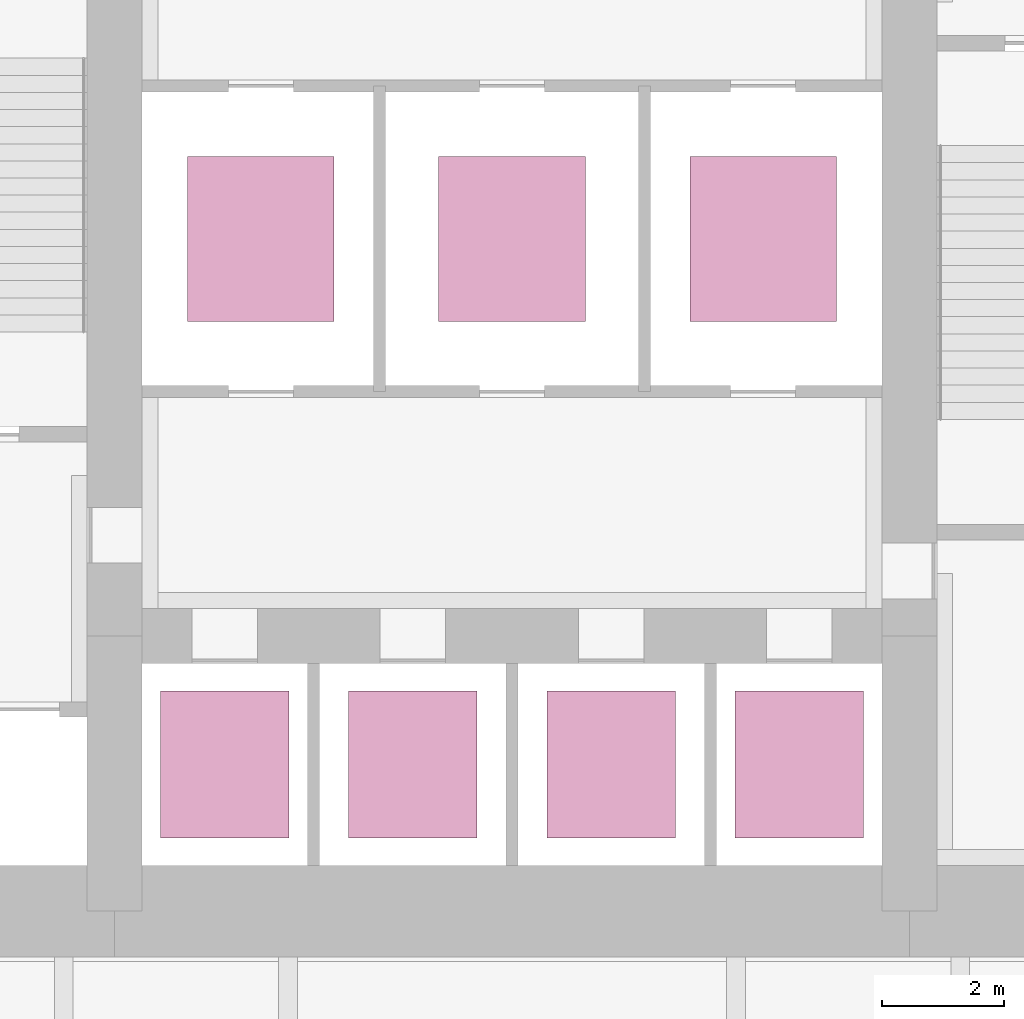
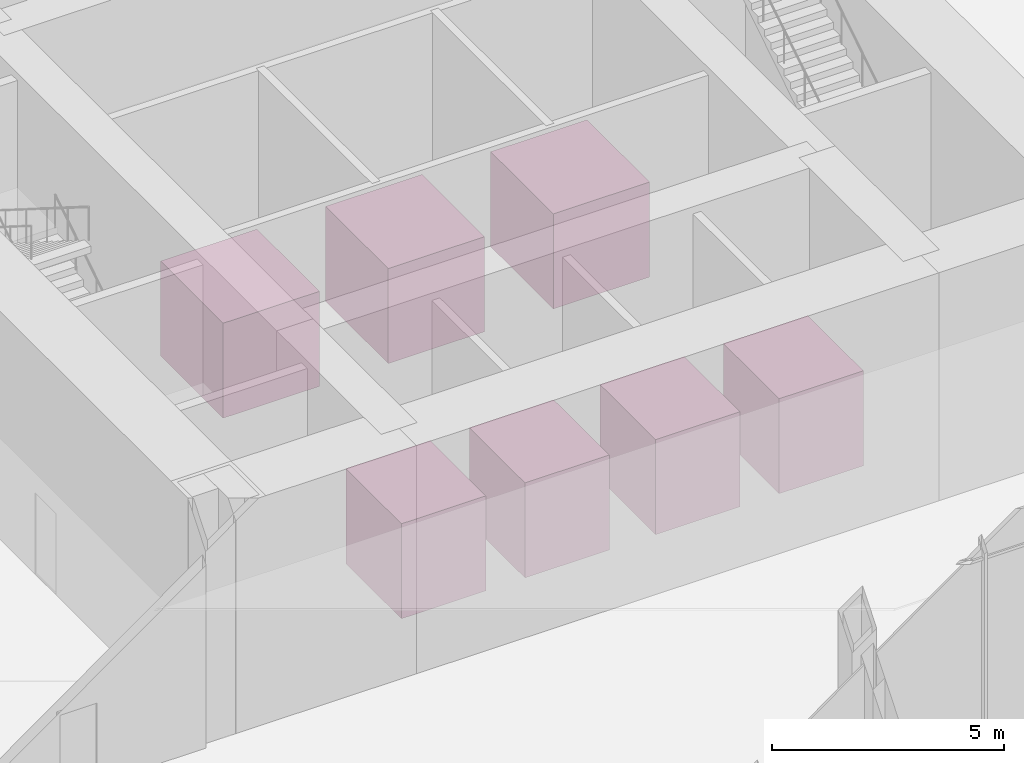
# One storey, part 10 of 10: 7 transport elements.
"""IFC4 building model written with IfcOpenShell, lengths in metres."""

from ifc_helpers import new_model, si_unit, direction, frame, origin, origin_2d, place, context, subcontext, project, spatial, rectangle, extrude, material, type_object, element, save


model = new_model("IFC4")

# Units and contexts
model_context = context("Model", 3, precision=1e-05, world=origin(), true_north=direction((0.0, 1.0)))
body_context = subcontext(model_context, "Body", "Model", "MODEL_VIEW")
ifc_project = project(units=[si_unit("LENGTHUNIT", "METRE"), si_unit("AREAUNIT", "SQUARE_METRE"), si_unit("VOLUMEUNIT", "CUBIC_METRE"), si_unit("PLANEANGLEUNIT", "RADIAN"), si_unit("MASSUNIT", "GRAM", prefix="KILO")], contexts=[model_context])

# Site, building, storey
site_placement = place(None, origin())
site = spatial("IfcSite", under=ifc_project, at=site_placement, CompositionType="ELEMENT")
building_placement = place(site_placement, origin())
building = spatial("IfcBuilding", under=site, at=building_placement, Name="Trevanion Tower", CompositionType="ELEMENT")
storey_placement = place(building_placement, frame((0.0, 0.0, 184.699951171875)))
storey = spatial("IfcBuildingStorey", under=building, at=storey_placement, Name="L43", CompositionType="ELEMENT", Elevation=184.699951171875)

# Transport elements
ifc_material_1 = material(Name="Steel car, stainless steel finish", Category="steel")
transport_element_type_1 = type_object("IfcTransportElementType", Name="LF-E hotel lift", PredefinedType="ELEVATOR", material=ifc_material_1)
for number, where, z_axis, x_axis, name in (
    (1, (-4.699951171875, -8.60009765625, 0.0), (0.0, 0.0, 1.0), (1.0, 0.0, 0.0), "E1 low hotel lift"),
    (2, (-1.625, -8.60009765625, 0.0), (0.0, 0.0, 1.0), (1.0, 0.0, 0.0), "E2 low hotel lift"),
    (3, (1.625, -8.60009765625, 0.0), (0.0, 0.0, 1.0), (1.0, 0.0, 0.0), "E3 high hotel lift"),
    (4, (4.699951171875, -8.60009765625, 0.0), (0.0, 0.0, 1.0), (1.0, 0.0, 0.0), "E4 high hotel lift"),
):
    element("IfcTransportElement", number, at=place(storey_placement, frame(where, z_axis=z_axis, x_axis=x_axis)), inside=storey, type_object=transport_element_type_1, Name=name, PredefinedType="ELEVATOR", context=body_context, shape_type="SweptSolid", body=[
        extrude(rectangle(XDim=2.10009765625, YDim=2.39990234375, at=origin_2d()), origin(), (0.0, 0.0, 1.0), 2.5),
    ])
ifc_material_2 = material(Name="Steel car, stainless steel finish", Category="steel")
transport_element_type_2 = type_object("IfcTransportElementType", Name="LF-F high-rise through-car lift", PredefinedType="ELEVATOR", material=ifc_material_2)
for number, where, z_axis, x_axis, name in (
    (5, (-4.1083984375, 0.0, 0.0), (0.0, 0.0, 1.0), (1.0, 0.0, 0.0), "F1 high-rise through-car lift"),
    (6, (0.0, 0.0, 0.0), (0.0, 0.0, 1.0), (1.0, 0.0, 0.0), "F2 high-rise through-car lift"),
    (7, (4.1083984375, 0.0, 0.0), (0.0, 0.0, 1.0), (1.0, 0.0, 0.0), "F3 high-rise through-car lift"),
):
    element("IfcTransportElement", number, at=place(storey_placement, frame(where, z_axis=z_axis, x_axis=x_axis)), inside=storey, type_object=transport_element_type_2, Name=name, PredefinedType="ELEVATOR", context=body_context, shape_type="SweptSolid", body=[
        extrude(rectangle(XDim=2.39990234375, YDim=2.699951171875, at=origin_2d()), origin(), (0.0, 0.0, 1.0), 2.5),
    ])

save(model, "model.ifc")
